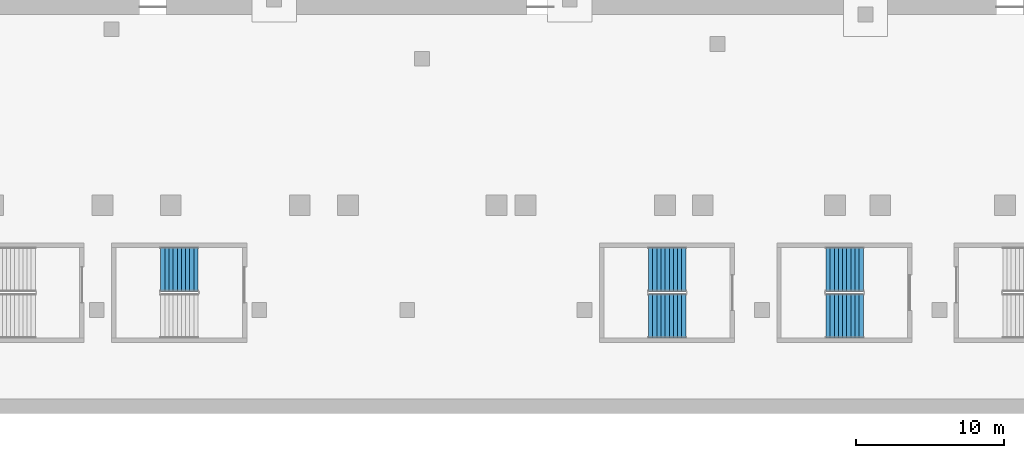
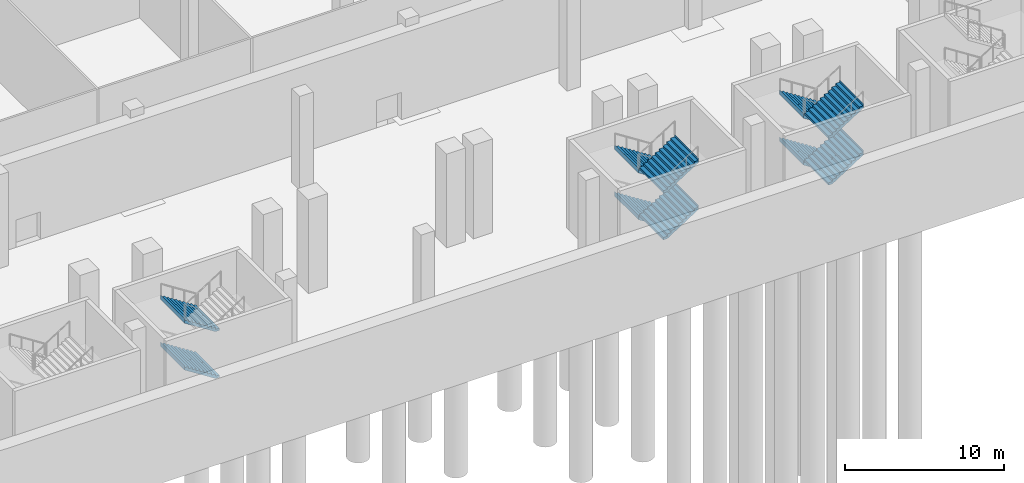
# One storey, part 9 of 15: 10 stair flights, 3 elements without a shape of their own.
"""IFC4 building model written with IfcOpenShell, lengths in metres."""

from ifc_helpers import new_model, si_unit, direction, frame, origin, place, context, subcontext, project, spatial, polyline, outline, extrude, material, type_object, element, aggregate, save


model = new_model("IFC4")

# Units and contexts
model_context = context("Model", 3, precision=1e-05, world=origin(), true_north=direction((0.0, 1.0)))
body_context = subcontext(model_context, "Body", "Model", "MODEL_VIEW")
ifc_project = project(units=[si_unit("LENGTHUNIT", "METRE"), si_unit("AREAUNIT", "SQUARE_METRE"), si_unit("VOLUMEUNIT", "CUBIC_METRE"), si_unit("PLANEANGLEUNIT", "RADIAN"), si_unit("MASSUNIT", "GRAM", prefix="KILO")], contexts=[model_context])

# Site, building, storey
site_placement = place(None, origin())
site = spatial("IfcSite", under=ifc_project, at=site_placement, CompositionType="ELEMENT")
building_placement = place(site_placement, origin())
building = spatial("IfcBuilding", under=site, at=building_placement, Name="Wharfspan Tower", CompositionType="ELEMENT")
storey_placement = place(building_placement, frame((0.0, 0.0, -7.199951)))
storey = spatial("IfcBuildingStorey", under=building, at=storey_placement, Name="B1", CompositionType="ELEMENT", Elevation=-7.199951)

# Stair, stair flights
ifc_material = material(Name="Concrete C40/50", Category="concrete")
stair_type = type_object("IfcStairType", Name="Half-turn stair 3000 wide 40 risers 180 mm", PredefinedType="HALF_TURN_STAIR", material=ifc_material)
stair_1_placement = place(storey_placement, origin())
stair_1 = element("IfcStair", 1, at=stair_1_placement, inside=storey, type_object=stair_type, Name="B1 stair SB2", PredefinedType="HALF_TURN_STAIR")
stair_flight_type = type_object("IfcStairFlightType", Name="Stair flight 3000 wide 40 risers 180 mm", PredefinedType="STRAIGHT", material=ifc_material)
stair_flight_1_placement = place(storey_placement, frame((25.850098, -26.25, 0.0), z_axis=(0.0, 0.0, 1.0), x_axis=(-1.0, 0.0, 0.0)))
stair_flight_1 = element("IfcStairFlight", 2, at=stair_flight_1_placement, type_object=stair_flight_type, Name="SB2 flight 1", NumberOfRisers=10, NumberOfTreads=9, PredefinedType="STRAIGHT", RiserHeight=0.18, TreadLength=0.28, context=body_context, shape_type="SweptSolid", body=[
    extrude(outline(polyline([(-0.011963, 0.0), (-0.011963, 0.179932), (0.0, 0.179932), (0.280029, 0.179932), (0.280029, 0.360107), (0.560059, 0.360107), (0.560059, 0.540039), (0.840088, 0.540039), (0.840088, 0.719971), (1.120117, 0.719971), (1.120117, 0.899902), (1.399902, 0.899902), (1.399902, 1.080078), (1.679932, 1.080078), (1.679932, 1.26001), (1.959961, 1.26001), (1.959961, 1.439941), (2.23999, 1.439941), (2.23999, 1.620117), (2.52002, 1.620117), (2.531982, 1.800049), (2.531982, 1.441895), (0.2771, 0.0), (-0.011963, 0.0)])), frame((0.0, 1.5, 0.0), z_axis=(0.0, -1.0, 0.0), x_axis=(1.0, 0.0, 0.0)), (0.0, 0.0, 1.0), 1.479492),
    extrude(outline(polyline([(-0.011963, 0.0), (-0.011963, 0.179932), (0.0, 0.179932), (0.280029, 0.179932), (0.280029, 0.360107), (0.560059, 0.360107), (0.560059, 0.540039), (0.840088, 0.540039), (0.840088, 0.719971), (1.120117, 0.719971), (1.120117, 0.899902), (1.399902, 0.899902), (1.399902, 1.080078), (1.679932, 1.080078), (1.679932, 1.26001), (1.959961, 1.26001), (1.959961, 1.439941), (2.23999, 1.439941), (2.23999, 1.620117), (2.52002, 1.620117), (2.531982, 1.800049), (2.531982, 1.441895), (0.2771, 0.0), (-0.011963, 0.0)])), frame((0.0, 0.019531, 0.0), z_axis=(0.0, -1.0, 0.0), x_axis=(1.0, 0.0, 0.0)), (0.0, 0.0, 1.0), 0.019043),
    extrude(outline(polyline([(-0.011963, 0.0), (-0.011963, 0.179932), (0.0, 0.179932), (0.280029, 0.179932), (0.280029, 0.360107), (0.560059, 0.360107), (0.560059, 0.540039), (0.840088, 0.540039), (0.840088, 0.719971), (1.120117, 0.719971), (1.120117, 0.899902), (1.399902, 0.899902), (1.399902, 1.080078), (1.679932, 1.080078), (1.679932, 1.26001), (1.959961, 1.26001), (1.959961, 1.439941), (2.23999, 1.439941), (2.23999, 1.620117), (2.52002, 1.620117), (2.531982, 1.800049), (2.531982, 1.441895), (0.2771, 0.0), (-0.011963, 0.0)])), frame((0.0, -0.000488, 0.0), z_axis=(0.0, -1.0, 0.0), x_axis=(1.0, 0.0, 0.0)), (0.0, 0.0, 1.0), 0.019043),
    extrude(outline(polyline([(-0.011963, 0.0), (-0.011963, 0.179932), (0.0, 0.179932), (0.280029, 0.179932), (0.280029, 0.360107), (0.560059, 0.360107), (0.560059, 0.540039), (0.840088, 0.540039), (0.840088, 0.719971), (1.120117, 0.719971), (1.120117, 0.899902), (1.399902, 0.899902), (1.399902, 1.080078), (1.679932, 1.080078), (1.679932, 1.26001), (1.959961, 1.26001), (1.959961, 1.439941), (2.23999, 1.439941), (2.23999, 1.620117), (2.52002, 1.620117), (2.531982, 1.800049), (2.531982, 1.441895), (0.2771, 0.0), (-0.011963, 0.0)])), frame((0.0, -0.020508, 0.0), z_axis=(0.0, -1.0, 0.0), x_axis=(1.0, 0.0, 0.0)), (0.0, 0.0, 1.0), 1.479492),
])
stair_flight_2_placement = place(storey_placement, frame((25.850098, -26.25, 3.599854), z_axis=(0.0, 0.0, 1.0), x_axis=(-1.0, 0.0, 0.0)))
stair_flight_2 = element("IfcStairFlight", 3, at=stair_flight_2_placement, type_object=stair_flight_type, Name="SB2 flight 3", NumberOfRisers=10, NumberOfTreads=9, PredefinedType="STRAIGHT", RiserHeight=0.18, TreadLength=0.28, context=body_context, shape_type="SweptSolid", body=[
    extrude(outline(polyline([(-0.011963, 0.0), (-0.011963, 0.179932), (0.0, 0.179932), (0.280029, 0.179932), (0.280029, 0.360107), (0.560059, 0.360107), (0.560059, 0.540039), (0.840088, 0.540039), (0.840088, 0.719971), (1.120117, 0.719971), (1.120117, 0.899902), (1.399902, 0.899902), (1.399902, 1.080078), (1.679932, 1.080078), (1.679932, 1.26001), (1.959961, 1.26001), (1.959961, 1.439941), (2.23999, 1.439941), (2.23999, 1.620117), (2.52002, 1.620117), (2.531982, 1.800049), (2.531982, 1.441895), (0.2771, 0.0), (-0.011963, 0.0)])), frame((0.0, 1.5, 0.0), z_axis=(0.0, -1.0, 0.0), x_axis=(1.0, 0.0, 0.0)), (0.0, 0.0, 1.0), 1.479492),
    extrude(outline(polyline([(-0.011963, 0.0), (-0.011963, 0.179932), (0.0, 0.179932), (0.280029, 0.179932), (0.280029, 0.360107), (0.560059, 0.360107), (0.560059, 0.540039), (0.840088, 0.540039), (0.840088, 0.719971), (1.120117, 0.719971), (1.120117, 0.899902), (1.399902, 0.899902), (1.399902, 1.080078), (1.679932, 1.080078), (1.679932, 1.26001), (1.959961, 1.26001), (1.959961, 1.439941), (2.23999, 1.439941), (2.23999, 1.620117), (2.52002, 1.620117), (2.531982, 1.800049), (2.531982, 1.441895), (0.2771, 0.0), (-0.011963, 0.0)])), frame((0.0, 0.019531, 0.0), z_axis=(0.0, -1.0, 0.0), x_axis=(1.0, 0.0, 0.0)), (0.0, 0.0, 1.0), 0.019043),
    extrude(outline(polyline([(-0.011963, 0.0), (-0.011963, 0.179932), (0.0, 0.179932), (0.280029, 0.179932), (0.280029, 0.360107), (0.560059, 0.360107), (0.560059, 0.540039), (0.840088, 0.540039), (0.840088, 0.719971), (1.120117, 0.719971), (1.120117, 0.899902), (1.399902, 0.899902), (1.399902, 1.080078), (1.679932, 1.080078), (1.679932, 1.26001), (1.959961, 1.26001), (1.959961, 1.439941), (2.23999, 1.439941), (2.23999, 1.620117), (2.52002, 1.620117), (2.531982, 1.800049), (2.531982, 1.441895), (0.2771, 0.0), (-0.011963, 0.0)])), frame((0.0, -0.000488, 0.0), z_axis=(0.0, -1.0, 0.0), x_axis=(1.0, 0.0, 0.0)), (0.0, 0.0, 1.0), 0.019043),
    extrude(outline(polyline([(-0.011963, 0.0), (-0.011963, 0.179932), (0.0, 0.179932), (0.280029, 0.179932), (0.280029, 0.360107), (0.560059, 0.360107), (0.560059, 0.540039), (0.840088, 0.540039), (0.840088, 0.719971), (1.120117, 0.719971), (1.120117, 0.899902), (1.399902, 0.899902), (1.399902, 1.080078), (1.679932, 1.080078), (1.679932, 1.26001), (1.959961, 1.26001), (1.959961, 1.439941), (2.23999, 1.439941), (2.23999, 1.620117), (2.52002, 1.620117), (2.531982, 1.800049), (2.531982, 1.441895), (0.2771, 0.0), (-0.011963, 0.0)])), frame((0.0, -0.020508, 0.0), z_axis=(0.0, -1.0, 0.0), x_axis=(1.0, 0.0, 0.0)), (0.0, 0.0, 1.0), 1.479492),
])
aggregate(stair_1, [stair_flight_1, stair_flight_2])

stair_2_placement = place(storey_placement, origin())
stair_2 = element("IfcStair", 4, at=stair_2_placement, inside=storey, type_object=stair_type, Name="B1 stair SB3", PredefinedType="HALF_TURN_STAIR")
stair_flight_3_placement = place(storey_placement, frame((58.850098, -26.25, 0.0), z_axis=(0.0, 0.0, 1.0), x_axis=(-1.0, 0.0, 0.0)))
stair_flight_3 = element("IfcStairFlight", 5, at=stair_flight_3_placement, type_object=stair_flight_type, Name="SB3 flight 1", NumberOfRisers=10, NumberOfTreads=9, PredefinedType="STRAIGHT", RiserHeight=0.18, TreadLength=0.28, context=body_context, shape_type="SweptSolid", body=[
    extrude(outline(polyline([(-0.011963, 0.0), (-0.011963, 0.179932), (0.0, 0.179932), (0.280029, 0.179932), (0.280029, 0.360107), (0.560059, 0.360107), (0.560059, 0.540039), (0.840088, 0.540039), (0.840088, 0.719971), (1.120117, 0.719971), (1.120117, 0.899902), (1.399902, 0.899902), (1.399902, 1.080078), (1.679932, 1.080078), (1.679932, 1.26001), (1.959961, 1.26001), (1.959961, 1.439941), (2.23999, 1.439941), (2.23999, 1.620117), (2.52002, 1.620117), (2.531982, 1.800049), (2.531982, 1.441895), (0.2771, 0.0), (-0.011963, 0.0)])), frame((0.0, 1.5, 0.0), z_axis=(0.0, -1.0, 0.0), x_axis=(1.0, 0.0, 0.0)), (0.0, 0.0, 1.0), 1.479492),
    extrude(outline(polyline([(-0.011963, 0.0), (-0.011963, 0.179932), (0.0, 0.179932), (0.280029, 0.179932), (0.280029, 0.360107), (0.560059, 0.360107), (0.560059, 0.540039), (0.840088, 0.540039), (0.840088, 0.719971), (1.120117, 0.719971), (1.120117, 0.899902), (1.399902, 0.899902), (1.399902, 1.080078), (1.679932, 1.080078), (1.679932, 1.26001), (1.959961, 1.26001), (1.959961, 1.439941), (2.23999, 1.439941), (2.23999, 1.620117), (2.52002, 1.620117), (2.531982, 1.800049), (2.531982, 1.441895), (0.2771, 0.0), (-0.011963, 0.0)])), frame((0.0, 0.019531, 0.0), z_axis=(0.0, -1.0, 0.0), x_axis=(1.0, 0.0, 0.0)), (0.0, 0.0, 1.0), 0.019043),
    extrude(outline(polyline([(-0.011963, 0.0), (-0.011963, 0.179932), (0.0, 0.179932), (0.280029, 0.179932), (0.280029, 0.360107), (0.560059, 0.360107), (0.560059, 0.540039), (0.840088, 0.540039), (0.840088, 0.719971), (1.120117, 0.719971), (1.120117, 0.899902), (1.399902, 0.899902), (1.399902, 1.080078), (1.679932, 1.080078), (1.679932, 1.26001), (1.959961, 1.26001), (1.959961, 1.439941), (2.23999, 1.439941), (2.23999, 1.620117), (2.52002, 1.620117), (2.531982, 1.800049), (2.531982, 1.441895), (0.2771, 0.0), (-0.011963, 0.0)])), frame((0.0, -0.000488, 0.0), z_axis=(0.0, -1.0, 0.0), x_axis=(1.0, 0.0, 0.0)), (0.0, 0.0, 1.0), 0.019043),
    extrude(outline(polyline([(-0.011963, 0.0), (-0.011963, 0.179932), (0.0, 0.179932), (0.280029, 0.179932), (0.280029, 0.360107), (0.560059, 0.360107), (0.560059, 0.540039), (0.840088, 0.540039), (0.840088, 0.719971), (1.120117, 0.719971), (1.120117, 0.899902), (1.399902, 0.899902), (1.399902, 1.080078), (1.679932, 1.080078), (1.679932, 1.26001), (1.959961, 1.26001), (1.959961, 1.439941), (2.23999, 1.439941), (2.23999, 1.620117), (2.52002, 1.620117), (2.531982, 1.800049), (2.531982, 1.441895), (0.2771, 0.0), (-0.011963, 0.0)])), frame((0.0, -0.020508, 0.0), z_axis=(0.0, -1.0, 0.0), x_axis=(1.0, 0.0, 0.0)), (0.0, 0.0, 1.0), 1.479492),
])
stair_flight_4_placement = place(storey_placement, frame((56.330078, -29.399902, 1.800049), z_axis=(0.0, 0.0, 1.0), x_axis=(1.0, 0.0, 0.0)))
stair_flight_4 = element("IfcStairFlight", 6, at=stair_flight_4_placement, type_object=stair_flight_type, Name="SB3 flight 2", NumberOfRisers=10, NumberOfTreads=9, PredefinedType="STRAIGHT", RiserHeight=0.18, TreadLength=0.28, context=body_context, shape_type="SweptSolid", body=[
    extrude(outline(polyline([(-0.011963, 0.0), (-0.011963, 0.179932), (0.0, 0.179932), (0.280029, 0.179932), (0.280029, 0.360107), (0.560059, 0.360107), (0.560059, 0.540039), (0.840088, 0.540039), (0.840088, 0.719971), (1.120117, 0.719971), (1.120117, 0.899902), (1.399902, 0.899902), (1.399902, 1.080078), (1.679932, 1.080078), (1.679932, 1.26001), (1.959961, 1.26001), (1.959961, 1.439941), (2.23999, 1.439941), (2.23999, 1.620117), (2.52002, 1.620117), (2.531982, 1.800049), (2.531982, 1.441895), (0.2771, 0.0), (-0.011963, 0.0)])), frame((0.0, 1.5, 0.0), z_axis=(0.0, -1.0, 0.0), x_axis=(1.0, 0.0, 0.0)), (0.0, 0.0, 1.0), 1.479492),
    extrude(outline(polyline([(-0.011963, 0.0), (-0.011963, 0.179932), (0.0, 0.179932), (0.280029, 0.179932), (0.280029, 0.360107), (0.560059, 0.360107), (0.560059, 0.540039), (0.840088, 0.540039), (0.840088, 0.719971), (1.120117, 0.719971), (1.120117, 0.899902), (1.399902, 0.899902), (1.399902, 1.080078), (1.679932, 1.080078), (1.679932, 1.26001), (1.959961, 1.26001), (1.959961, 1.439941), (2.23999, 1.439941), (2.23999, 1.620117), (2.52002, 1.620117), (2.531982, 1.800049), (2.531982, 1.441895), (0.2771, 0.0), (-0.011963, 0.0)])), frame((0.0, 0.019531, 0.0), z_axis=(0.0, -1.0, 0.0), x_axis=(1.0, 0.0, 0.0)), (0.0, 0.0, 1.0), 0.019043),
    extrude(outline(polyline([(-0.011963, 0.0), (-0.011963, 0.179932), (0.0, 0.179932), (0.280029, 0.179932), (0.280029, 0.360107), (0.560059, 0.360107), (0.560059, 0.540039), (0.840088, 0.540039), (0.840088, 0.719971), (1.120117, 0.719971), (1.120117, 0.899902), (1.399902, 0.899902), (1.399902, 1.080078), (1.679932, 1.080078), (1.679932, 1.26001), (1.959961, 1.26001), (1.959961, 1.439941), (2.23999, 1.439941), (2.23999, 1.620117), (2.52002, 1.620117), (2.531982, 1.800049), (2.531982, 1.441895), (0.2771, 0.0), (-0.011963, 0.0)])), frame((0.0, -0.000488, 0.0), z_axis=(0.0, -1.0, 0.0), x_axis=(1.0, 0.0, 0.0)), (0.0, 0.0, 1.0), 0.019043),
    extrude(outline(polyline([(-0.011963, 0.0), (-0.011963, 0.179932), (0.0, 0.179932), (0.280029, 0.179932), (0.280029, 0.360107), (0.560059, 0.360107), (0.560059, 0.540039), (0.840088, 0.540039), (0.840088, 0.719971), (1.120117, 0.719971), (1.120117, 0.899902), (1.399902, 0.899902), (1.399902, 1.080078), (1.679932, 1.080078), (1.679932, 1.26001), (1.959961, 1.26001), (1.959961, 1.439941), (2.23999, 1.439941), (2.23999, 1.620117), (2.52002, 1.620117), (2.531982, 1.800049), (2.531982, 1.441895), (0.2771, 0.0), (-0.011963, 0.0)])), frame((0.0, -0.020508, 0.0), z_axis=(0.0, -1.0, 0.0), x_axis=(1.0, 0.0, 0.0)), (0.0, 0.0, 1.0), 1.479492),
])
stair_flight_5_placement = place(storey_placement, frame((58.850098, -26.25, 3.599854), z_axis=(0.0, 0.0, 1.0), x_axis=(-1.0, 0.0, 0.0)))
stair_flight_5 = element("IfcStairFlight", 7, at=stair_flight_5_placement, type_object=stair_flight_type, Name="SB3 flight 3", NumberOfRisers=10, NumberOfTreads=9, PredefinedType="STRAIGHT", RiserHeight=0.18, TreadLength=0.28, context=body_context, shape_type="SweptSolid", body=[
    extrude(outline(polyline([(-0.011963, 0.0), (-0.011963, 0.179932), (0.0, 0.179932), (0.280029, 0.179932), (0.280029, 0.360107), (0.560059, 0.360107), (0.560059, 0.540039), (0.840088, 0.540039), (0.840088, 0.719971), (1.120117, 0.719971), (1.120117, 0.899902), (1.399902, 0.899902), (1.399902, 1.080078), (1.679932, 1.080078), (1.679932, 1.26001), (1.959961, 1.26001), (1.959961, 1.439941), (2.23999, 1.439941), (2.23999, 1.620117), (2.52002, 1.620117), (2.531982, 1.800049), (2.531982, 1.441895), (0.2771, 0.0), (-0.011963, 0.0)])), frame((0.0, 1.5, 0.0), z_axis=(0.0, -1.0, 0.0), x_axis=(1.0, 0.0, 0.0)), (0.0, 0.0, 1.0), 1.479492),
    extrude(outline(polyline([(-0.011963, 0.0), (-0.011963, 0.179932), (0.0, 0.179932), (0.280029, 0.179932), (0.280029, 0.360107), (0.560059, 0.360107), (0.560059, 0.540039), (0.840088, 0.540039), (0.840088, 0.719971), (1.120117, 0.719971), (1.120117, 0.899902), (1.399902, 0.899902), (1.399902, 1.080078), (1.679932, 1.080078), (1.679932, 1.26001), (1.959961, 1.26001), (1.959961, 1.439941), (2.23999, 1.439941), (2.23999, 1.620117), (2.52002, 1.620117), (2.531982, 1.800049), (2.531982, 1.441895), (0.2771, 0.0), (-0.011963, 0.0)])), frame((0.0, 0.019531, 0.0), z_axis=(0.0, -1.0, 0.0), x_axis=(1.0, 0.0, 0.0)), (0.0, 0.0, 1.0), 0.019043),
    extrude(outline(polyline([(-0.011963, 0.0), (-0.011963, 0.179932), (0.0, 0.179932), (0.280029, 0.179932), (0.280029, 0.360107), (0.560059, 0.360107), (0.560059, 0.540039), (0.840088, 0.540039), (0.840088, 0.719971), (1.120117, 0.719971), (1.120117, 0.899902), (1.399902, 0.899902), (1.399902, 1.080078), (1.679932, 1.080078), (1.679932, 1.26001), (1.959961, 1.26001), (1.959961, 1.439941), (2.23999, 1.439941), (2.23999, 1.620117), (2.52002, 1.620117), (2.531982, 1.800049), (2.531982, 1.441895), (0.2771, 0.0), (-0.011963, 0.0)])), frame((0.0, -0.000488, 0.0), z_axis=(0.0, -1.0, 0.0), x_axis=(1.0, 0.0, 0.0)), (0.0, 0.0, 1.0), 0.019043),
    extrude(outline(polyline([(-0.011963, 0.0), (-0.011963, 0.179932), (0.0, 0.179932), (0.280029, 0.179932), (0.280029, 0.360107), (0.560059, 0.360107), (0.560059, 0.540039), (0.840088, 0.540039), (0.840088, 0.719971), (1.120117, 0.719971), (1.120117, 0.899902), (1.399902, 0.899902), (1.399902, 1.080078), (1.679932, 1.080078), (1.679932, 1.26001), (1.959961, 1.26001), (1.959961, 1.439941), (2.23999, 1.439941), (2.23999, 1.620117), (2.52002, 1.620117), (2.531982, 1.800049), (2.531982, 1.441895), (0.2771, 0.0), (-0.011963, 0.0)])), frame((0.0, -0.020508, 0.0), z_axis=(0.0, -1.0, 0.0), x_axis=(1.0, 0.0, 0.0)), (0.0, 0.0, 1.0), 1.479492),
])
stair_flight_6_placement = place(storey_placement, frame((56.330078, -29.399902, 5.399902), z_axis=(0.0, 0.0, 1.0), x_axis=(1.0, 0.0, 0.0)))
stair_flight_6 = element("IfcStairFlight", 8, at=stair_flight_6_placement, type_object=stair_flight_type, Name="SB3 flight 4", NumberOfRisers=10, NumberOfTreads=9, PredefinedType="STRAIGHT", RiserHeight=0.18, TreadLength=0.28, context=body_context, shape_type="SweptSolid", body=[
    extrude(outline(polyline([(-0.011963, 0.0), (-0.011963, 0.179932), (0.0, 0.179932), (0.280029, 0.179932), (0.280029, 0.360107), (0.560059, 0.360107), (0.560059, 0.540039), (0.840088, 0.540039), (0.840088, 0.719971), (1.120117, 0.719971), (1.120117, 0.899902), (1.399902, 0.899902), (1.399902, 1.080078), (1.679932, 1.080078), (1.679932, 1.26001), (1.959961, 1.26001), (1.959961, 1.439941), (2.23999, 1.439941), (2.23999, 1.620117), (2.52002, 1.620117), (2.531982, 1.800049), (2.531982, 1.441895), (0.2771, 0.0), (-0.011963, 0.0)])), frame((0.0, 1.5, 0.0), z_axis=(0.0, -1.0, 0.0), x_axis=(1.0, 0.0, 0.0)), (0.0, 0.0, 1.0), 1.479492),
    extrude(outline(polyline([(-0.011963, 0.0), (-0.011963, 0.179932), (0.0, 0.179932), (0.280029, 0.179932), (0.280029, 0.360107), (0.560059, 0.360107), (0.560059, 0.540039), (0.840088, 0.540039), (0.840088, 0.719971), (1.120117, 0.719971), (1.120117, 0.899902), (1.399902, 0.899902), (1.399902, 1.080078), (1.679932, 1.080078), (1.679932, 1.26001), (1.959961, 1.26001), (1.959961, 1.439941), (2.23999, 1.439941), (2.23999, 1.620117), (2.52002, 1.620117), (2.531982, 1.800049), (2.531982, 1.441895), (0.2771, 0.0), (-0.011963, 0.0)])), frame((0.0, 0.019531, 0.0), z_axis=(0.0, -1.0, 0.0), x_axis=(1.0, 0.0, 0.0)), (0.0, 0.0, 1.0), 0.019043),
    extrude(outline(polyline([(-0.011963, 0.0), (-0.011963, 0.179932), (0.0, 0.179932), (0.280029, 0.179932), (0.280029, 0.360107), (0.560059, 0.360107), (0.560059, 0.540039), (0.840088, 0.540039), (0.840088, 0.719971), (1.120117, 0.719971), (1.120117, 0.899902), (1.399902, 0.899902), (1.399902, 1.080078), (1.679932, 1.080078), (1.679932, 1.26001), (1.959961, 1.26001), (1.959961, 1.439941), (2.23999, 1.439941), (2.23999, 1.620117), (2.52002, 1.620117), (2.531982, 1.800049), (2.531982, 1.441895), (0.2771, 0.0), (-0.011963, 0.0)])), frame((0.0, -0.000488, 0.0), z_axis=(0.0, -1.0, 0.0), x_axis=(1.0, 0.0, 0.0)), (0.0, 0.0, 1.0), 0.019043),
    extrude(outline(polyline([(-0.011963, 0.0), (-0.011963, 0.179932), (0.0, 0.179932), (0.280029, 0.179932), (0.280029, 0.360107), (0.560059, 0.360107), (0.560059, 0.540039), (0.840088, 0.540039), (0.840088, 0.719971), (1.120117, 0.719971), (1.120117, 0.899902), (1.399902, 0.899902), (1.399902, 1.080078), (1.679932, 1.080078), (1.679932, 1.26001), (1.959961, 1.26001), (1.959961, 1.439941), (2.23999, 1.439941), (2.23999, 1.620117), (2.52002, 1.620117), (2.531982, 1.800049), (2.531982, 1.441895), (0.2771, 0.0), (-0.011963, 0.0)])), frame((0.0, -0.020508, 0.0), z_axis=(0.0, -1.0, 0.0), x_axis=(1.0, 0.0, 0.0)), (0.0, 0.0, 1.0), 1.479492),
])
aggregate(stair_2, [stair_flight_3, stair_flight_4, stair_flight_5, stair_flight_6])

stair_3_placement = place(storey_placement, origin())
stair_3 = element("IfcStair", 9, at=stair_3_placement, inside=storey, type_object=stair_type, Name="B1 stair SB4", PredefinedType="HALF_TURN_STAIR")
stair_flight_7_placement = place(storey_placement, frame((70.850098, -26.25, 0.0), z_axis=(0.0, 0.0, 1.0), x_axis=(-1.0, 0.0, 0.0)))
stair_flight_7 = element("IfcStairFlight", 10, at=stair_flight_7_placement, type_object=stair_flight_type, Name="SB4 flight 1", NumberOfRisers=10, NumberOfTreads=9, PredefinedType="STRAIGHT", RiserHeight=0.18, TreadLength=0.28, context=body_context, shape_type="SweptSolid", body=[
    extrude(outline(polyline([(-0.011963, 0.0), (-0.011963, 0.179932), (0.0, 0.179932), (0.280029, 0.179932), (0.280029, 0.360107), (0.560059, 0.360107), (0.560059, 0.540039), (0.840088, 0.540039), (0.840088, 0.719971), (1.120117, 0.719971), (1.120117, 0.899902), (1.399902, 0.899902), (1.399902, 1.080078), (1.679932, 1.080078), (1.679932, 1.26001), (1.959961, 1.26001), (1.959961, 1.439941), (2.23999, 1.439941), (2.23999, 1.620117), (2.52002, 1.620117), (2.531982, 1.800049), (2.531982, 1.441895), (0.2771, 0.0), (-0.011963, 0.0)])), frame((0.0, 1.5, 0.0), z_axis=(0.0, -1.0, 0.0), x_axis=(1.0, 0.0, 0.0)), (0.0, 0.0, 1.0), 1.479492),
    extrude(outline(polyline([(-0.011963, 0.0), (-0.011963, 0.179932), (0.0, 0.179932), (0.280029, 0.179932), (0.280029, 0.360107), (0.560059, 0.360107), (0.560059, 0.540039), (0.840088, 0.540039), (0.840088, 0.719971), (1.120117, 0.719971), (1.120117, 0.899902), (1.399902, 0.899902), (1.399902, 1.080078), (1.679932, 1.080078), (1.679932, 1.26001), (1.959961, 1.26001), (1.959961, 1.439941), (2.23999, 1.439941), (2.23999, 1.620117), (2.52002, 1.620117), (2.531982, 1.800049), (2.531982, 1.441895), (0.2771, 0.0), (-0.011963, 0.0)])), frame((0.0, 0.019531, 0.0), z_axis=(0.0, -1.0, 0.0), x_axis=(1.0, 0.0, 0.0)), (0.0, 0.0, 1.0), 0.019043),
    extrude(outline(polyline([(-0.011963, 0.0), (-0.011963, 0.179932), (0.0, 0.179932), (0.280029, 0.179932), (0.280029, 0.360107), (0.560059, 0.360107), (0.560059, 0.540039), (0.840088, 0.540039), (0.840088, 0.719971), (1.120117, 0.719971), (1.120117, 0.899902), (1.399902, 0.899902), (1.399902, 1.080078), (1.679932, 1.080078), (1.679932, 1.26001), (1.959961, 1.26001), (1.959961, 1.439941), (2.23999, 1.439941), (2.23999, 1.620117), (2.52002, 1.620117), (2.531982, 1.800049), (2.531982, 1.441895), (0.2771, 0.0), (-0.011963, 0.0)])), frame((0.0, -0.000488, 0.0), z_axis=(0.0, -1.0, 0.0), x_axis=(1.0, 0.0, 0.0)), (0.0, 0.0, 1.0), 0.019043),
    extrude(outline(polyline([(-0.011963, 0.0), (-0.011963, 0.179932), (0.0, 0.179932), (0.280029, 0.179932), (0.280029, 0.360107), (0.560059, 0.360107), (0.560059, 0.540039), (0.840088, 0.540039), (0.840088, 0.719971), (1.120117, 0.719971), (1.120117, 0.899902), (1.399902, 0.899902), (1.399902, 1.080078), (1.679932, 1.080078), (1.679932, 1.26001), (1.959961, 1.26001), (1.959961, 1.439941), (2.23999, 1.439941), (2.23999, 1.620117), (2.52002, 1.620117), (2.531982, 1.800049), (2.531982, 1.441895), (0.2771, 0.0), (-0.011963, 0.0)])), frame((0.0, -0.020508, 0.0), z_axis=(0.0, -1.0, 0.0), x_axis=(1.0, 0.0, 0.0)), (0.0, 0.0, 1.0), 1.479492),
])
stair_flight_8_placement = place(storey_placement, frame((68.330078, -29.399902, 1.800049), z_axis=(0.0, 0.0, 1.0), x_axis=(1.0, 0.0, 0.0)))
stair_flight_8 = element("IfcStairFlight", 11, at=stair_flight_8_placement, type_object=stair_flight_type, Name="SB4 flight 2", NumberOfRisers=10, NumberOfTreads=9, PredefinedType="STRAIGHT", RiserHeight=0.18, TreadLength=0.28, context=body_context, shape_type="SweptSolid", body=[
    extrude(outline(polyline([(-0.011963, 0.0), (-0.011963, 0.179932), (0.0, 0.179932), (0.280029, 0.179932), (0.280029, 0.360107), (0.560059, 0.360107), (0.560059, 0.540039), (0.840088, 0.540039), (0.840088, 0.719971), (1.120117, 0.719971), (1.120117, 0.899902), (1.399902, 0.899902), (1.399902, 1.080078), (1.679932, 1.080078), (1.679932, 1.26001), (1.959961, 1.26001), (1.959961, 1.439941), (2.23999, 1.439941), (2.23999, 1.620117), (2.52002, 1.620117), (2.531982, 1.800049), (2.531982, 1.441895), (0.2771, 0.0), (-0.011963, 0.0)])), frame((0.0, 1.5, 0.0), z_axis=(0.0, -1.0, 0.0), x_axis=(1.0, 0.0, 0.0)), (0.0, 0.0, 1.0), 1.479492),
    extrude(outline(polyline([(-0.011963, 0.0), (-0.011963, 0.179932), (0.0, 0.179932), (0.280029, 0.179932), (0.280029, 0.360107), (0.560059, 0.360107), (0.560059, 0.540039), (0.840088, 0.540039), (0.840088, 0.719971), (1.120117, 0.719971), (1.120117, 0.899902), (1.399902, 0.899902), (1.399902, 1.080078), (1.679932, 1.080078), (1.679932, 1.26001), (1.959961, 1.26001), (1.959961, 1.439941), (2.23999, 1.439941), (2.23999, 1.620117), (2.52002, 1.620117), (2.531982, 1.800049), (2.531982, 1.441895), (0.2771, 0.0), (-0.011963, 0.0)])), frame((0.0, 0.019531, 0.0), z_axis=(0.0, -1.0, 0.0), x_axis=(1.0, 0.0, 0.0)), (0.0, 0.0, 1.0), 0.019043),
    extrude(outline(polyline([(-0.011963, 0.0), (-0.011963, 0.179932), (0.0, 0.179932), (0.280029, 0.179932), (0.280029, 0.360107), (0.560059, 0.360107), (0.560059, 0.540039), (0.840088, 0.540039), (0.840088, 0.719971), (1.120117, 0.719971), (1.120117, 0.899902), (1.399902, 0.899902), (1.399902, 1.080078), (1.679932, 1.080078), (1.679932, 1.26001), (1.959961, 1.26001), (1.959961, 1.439941), (2.23999, 1.439941), (2.23999, 1.620117), (2.52002, 1.620117), (2.531982, 1.800049), (2.531982, 1.441895), (0.2771, 0.0), (-0.011963, 0.0)])), frame((0.0, -0.000488, 0.0), z_axis=(0.0, -1.0, 0.0), x_axis=(1.0, 0.0, 0.0)), (0.0, 0.0, 1.0), 0.019043),
    extrude(outline(polyline([(-0.011963, 0.0), (-0.011963, 0.179932), (0.0, 0.179932), (0.280029, 0.179932), (0.280029, 0.360107), (0.560059, 0.360107), (0.560059, 0.540039), (0.840088, 0.540039), (0.840088, 0.719971), (1.120117, 0.719971), (1.120117, 0.899902), (1.399902, 0.899902), (1.399902, 1.080078), (1.679932, 1.080078), (1.679932, 1.26001), (1.959961, 1.26001), (1.959961, 1.439941), (2.23999, 1.439941), (2.23999, 1.620117), (2.52002, 1.620117), (2.531982, 1.800049), (2.531982, 1.441895), (0.2771, 0.0), (-0.011963, 0.0)])), frame((0.0, -0.020508, 0.0), z_axis=(0.0, -1.0, 0.0), x_axis=(1.0, 0.0, 0.0)), (0.0, 0.0, 1.0), 1.479492),
])
stair_flight_9_placement = place(storey_placement, frame((70.850098, -26.25, 3.599854), z_axis=(0.0, 0.0, 1.0), x_axis=(-1.0, 0.0, 0.0)))
stair_flight_9 = element("IfcStairFlight", 12, at=stair_flight_9_placement, type_object=stair_flight_type, Name="SB4 flight 3", NumberOfRisers=10, NumberOfTreads=9, PredefinedType="STRAIGHT", RiserHeight=0.18, TreadLength=0.28, context=body_context, shape_type="SweptSolid", body=[
    extrude(outline(polyline([(-0.011963, 0.0), (-0.011963, 0.179932), (0.0, 0.179932), (0.280029, 0.179932), (0.280029, 0.360107), (0.560059, 0.360107), (0.560059, 0.540039), (0.840088, 0.540039), (0.840088, 0.719971), (1.120117, 0.719971), (1.120117, 0.899902), (1.399902, 0.899902), (1.399902, 1.080078), (1.679932, 1.080078), (1.679932, 1.26001), (1.959961, 1.26001), (1.959961, 1.439941), (2.23999, 1.439941), (2.23999, 1.620117), (2.52002, 1.620117), (2.531982, 1.800049), (2.531982, 1.441895), (0.2771, 0.0), (-0.011963, 0.0)])), frame((0.0, 1.5, 0.0), z_axis=(0.0, -1.0, 0.0), x_axis=(1.0, 0.0, 0.0)), (0.0, 0.0, 1.0), 1.479492),
    extrude(outline(polyline([(-0.011963, 0.0), (-0.011963, 0.179932), (0.0, 0.179932), (0.280029, 0.179932), (0.280029, 0.360107), (0.560059, 0.360107), (0.560059, 0.540039), (0.840088, 0.540039), (0.840088, 0.719971), (1.120117, 0.719971), (1.120117, 0.899902), (1.399902, 0.899902), (1.399902, 1.080078), (1.679932, 1.080078), (1.679932, 1.26001), (1.959961, 1.26001), (1.959961, 1.439941), (2.23999, 1.439941), (2.23999, 1.620117), (2.52002, 1.620117), (2.531982, 1.800049), (2.531982, 1.441895), (0.2771, 0.0), (-0.011963, 0.0)])), frame((0.0, 0.019531, 0.0), z_axis=(0.0, -1.0, 0.0), x_axis=(1.0, 0.0, 0.0)), (0.0, 0.0, 1.0), 0.019043),
    extrude(outline(polyline([(-0.011963, 0.0), (-0.011963, 0.179932), (0.0, 0.179932), (0.280029, 0.179932), (0.280029, 0.360107), (0.560059, 0.360107), (0.560059, 0.540039), (0.840088, 0.540039), (0.840088, 0.719971), (1.120117, 0.719971), (1.120117, 0.899902), (1.399902, 0.899902), (1.399902, 1.080078), (1.679932, 1.080078), (1.679932, 1.26001), (1.959961, 1.26001), (1.959961, 1.439941), (2.23999, 1.439941), (2.23999, 1.620117), (2.52002, 1.620117), (2.531982, 1.800049), (2.531982, 1.441895), (0.2771, 0.0), (-0.011963, 0.0)])), frame((0.0, -0.000488, 0.0), z_axis=(0.0, -1.0, 0.0), x_axis=(1.0, 0.0, 0.0)), (0.0, 0.0, 1.0), 0.019043),
    extrude(outline(polyline([(-0.011963, 0.0), (-0.011963, 0.179932), (0.0, 0.179932), (0.280029, 0.179932), (0.280029, 0.360107), (0.560059, 0.360107), (0.560059, 0.540039), (0.840088, 0.540039), (0.840088, 0.719971), (1.120117, 0.719971), (1.120117, 0.899902), (1.399902, 0.899902), (1.399902, 1.080078), (1.679932, 1.080078), (1.679932, 1.26001), (1.959961, 1.26001), (1.959961, 1.439941), (2.23999, 1.439941), (2.23999, 1.620117), (2.52002, 1.620117), (2.531982, 1.800049), (2.531982, 1.441895), (0.2771, 0.0), (-0.011963, 0.0)])), frame((0.0, -0.020508, 0.0), z_axis=(0.0, -1.0, 0.0), x_axis=(1.0, 0.0, 0.0)), (0.0, 0.0, 1.0), 1.479492),
])
stair_flight_10_placement = place(storey_placement, frame((68.330078, -29.399902, 5.399902), z_axis=(0.0, 0.0, 1.0), x_axis=(1.0, 0.0, 0.0)))
stair_flight_10 = element("IfcStairFlight", 13, at=stair_flight_10_placement, type_object=stair_flight_type, Name="SB4 flight 4", NumberOfRisers=10, NumberOfTreads=9, PredefinedType="STRAIGHT", RiserHeight=0.18, TreadLength=0.28, context=body_context, shape_type="SweptSolid", body=[
    extrude(outline(polyline([(-0.011963, 0.0), (-0.011963, 0.179932), (0.0, 0.179932), (0.280029, 0.179932), (0.280029, 0.360107), (0.560059, 0.360107), (0.560059, 0.540039), (0.840088, 0.540039), (0.840088, 0.719971), (1.120117, 0.719971), (1.120117, 0.899902), (1.399902, 0.899902), (1.399902, 1.080078), (1.679932, 1.080078), (1.679932, 1.26001), (1.959961, 1.26001), (1.959961, 1.439941), (2.23999, 1.439941), (2.23999, 1.620117), (2.52002, 1.620117), (2.531982, 1.800049), (2.531982, 1.441895), (0.2771, 0.0), (-0.011963, 0.0)])), frame((0.0, 1.5, 0.0), z_axis=(0.0, -1.0, 0.0), x_axis=(1.0, 0.0, 0.0)), (0.0, 0.0, 1.0), 1.479492),
    extrude(outline(polyline([(-0.011963, 0.0), (-0.011963, 0.179932), (0.0, 0.179932), (0.280029, 0.179932), (0.280029, 0.360107), (0.560059, 0.360107), (0.560059, 0.540039), (0.840088, 0.540039), (0.840088, 0.719971), (1.120117, 0.719971), (1.120117, 0.899902), (1.399902, 0.899902), (1.399902, 1.080078), (1.679932, 1.080078), (1.679932, 1.26001), (1.959961, 1.26001), (1.959961, 1.439941), (2.23999, 1.439941), (2.23999, 1.620117), (2.52002, 1.620117), (2.531982, 1.800049), (2.531982, 1.441895), (0.2771, 0.0), (-0.011963, 0.0)])), frame((0.0, 0.019531, 0.0), z_axis=(0.0, -1.0, 0.0), x_axis=(1.0, 0.0, 0.0)), (0.0, 0.0, 1.0), 0.019043),
    extrude(outline(polyline([(-0.011963, 0.0), (-0.011963, 0.179932), (0.0, 0.179932), (0.280029, 0.179932), (0.280029, 0.360107), (0.560059, 0.360107), (0.560059, 0.540039), (0.840088, 0.540039), (0.840088, 0.719971), (1.120117, 0.719971), (1.120117, 0.899902), (1.399902, 0.899902), (1.399902, 1.080078), (1.679932, 1.080078), (1.679932, 1.26001), (1.959961, 1.26001), (1.959961, 1.439941), (2.23999, 1.439941), (2.23999, 1.620117), (2.52002, 1.620117), (2.531982, 1.800049), (2.531982, 1.441895), (0.2771, 0.0), (-0.011963, 0.0)])), frame((0.0, -0.000488, 0.0), z_axis=(0.0, -1.0, 0.0), x_axis=(1.0, 0.0, 0.0)), (0.0, 0.0, 1.0), 0.019043),
    extrude(outline(polyline([(-0.011963, 0.0), (-0.011963, 0.179932), (0.0, 0.179932), (0.280029, 0.179932), (0.280029, 0.360107), (0.560059, 0.360107), (0.560059, 0.540039), (0.840088, 0.540039), (0.840088, 0.719971), (1.120117, 0.719971), (1.120117, 0.899902), (1.399902, 0.899902), (1.399902, 1.080078), (1.679932, 1.080078), (1.679932, 1.26001), (1.959961, 1.26001), (1.959961, 1.439941), (2.23999, 1.439941), (2.23999, 1.620117), (2.52002, 1.620117), (2.531982, 1.800049), (2.531982, 1.441895), (0.2771, 0.0), (-0.011963, 0.0)])), frame((0.0, -0.020508, 0.0), z_axis=(0.0, -1.0, 0.0), x_axis=(1.0, 0.0, 0.0)), (0.0, 0.0, 1.0), 1.479492),
])
aggregate(stair_3, [stair_flight_7, stair_flight_8, stair_flight_9, stair_flight_10])

save(model, "model.ifc")
